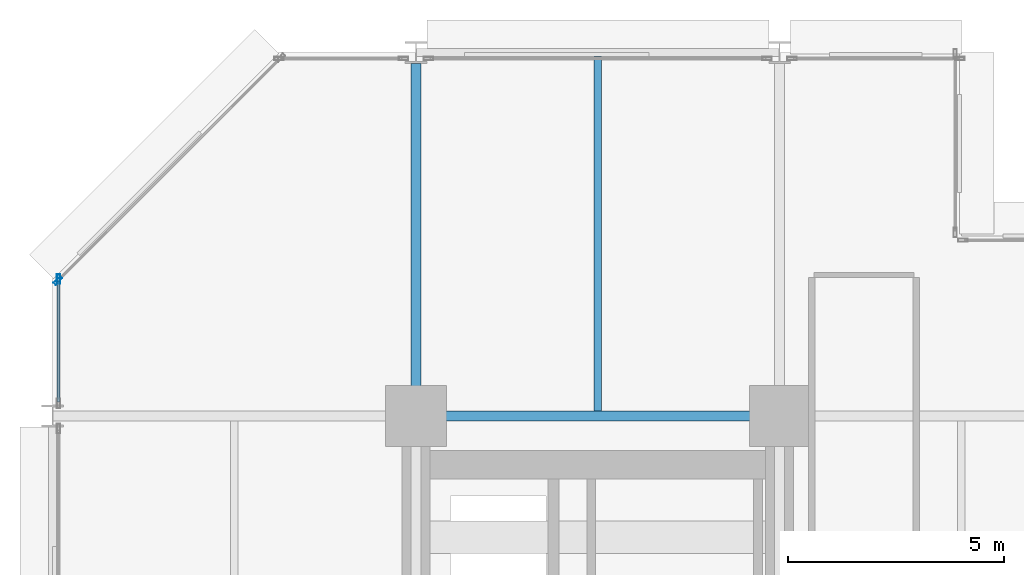
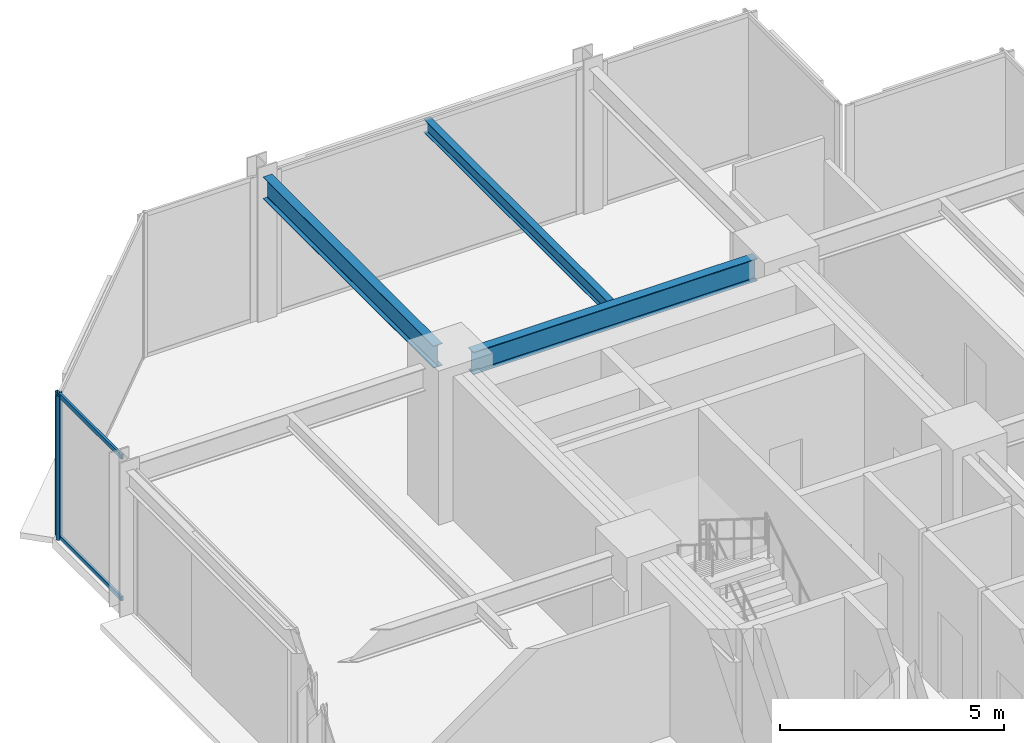
# One storey, part 15 of 25: 4 members, 3 beams, 2 elements without a shape of their own.
"""IFC4 building model written with IfcOpenShell, lengths in metres."""

import ifcopenshell
import ifcopenshell.guid

model = None  # the IFC model being written
_history = None  # IfcOwnerHistory: only IFC2X3 demands one
_inside = {}  # id of a spatial element -> (the spatial element, [elements in it])
_under = {}  # id of a project, library or spatial element -> (it, [spatial elements below it])
_declared = {}  # id of a project -> (the project, [libraries it declares])
_typed = {}  # id of a type object -> (the type object, [elements of that type])
_made_of = {}  # id of a material, layer set ... -> (it, [elements and type objects made of it])


def new_model(schema):
    """Start an empty IFC model of exactly this schema.

    Asked for "IFC4X3", IfcOpenShell would pick the latest addendum, in which some entities
    have other attributes; the version numbers below select the first issue.
    IFC2X3 requires an IfcOwnerHistory on every rooted entity: one is made here for all.
    """
    global model, _history
    if schema == "IFC4X3":
        model = ifcopenshell.file(schema_version=(4, 3, 0, 0))
    else:
        model = ifcopenshell.file(schema=schema)
    _inside.clear()
    _under.clear()
    _declared.clear()
    _typed.clear()
    _made_of.clear()
    _history = None
    if model.schema == "IFC2X3":
        org = make("IfcOrganization", Name="unknown")
        user = make(
            "IfcPersonAndOrganization",
            ThePerson=make("IfcPerson", FamilyName="unknown"),
            TheOrganization=org,
        )
        app = make(
            "IfcApplication",
            ApplicationDeveloper=org,
            Version="unknown",
            ApplicationFullName="unknown",
            ApplicationIdentifier="unknown",
        )
        _history = make(
            "IfcOwnerHistory",
            OwningUser=user,
            OwningApplication=app,
            ChangeAction="ADDED",
            CreationDate=0,
        )
    return model


def make(cls, **values):
    """One entity of the class cls with the attributes given. An attribute that is None is left unset."""
    return model.create_entity(
        cls, **{name: value for name, value in values.items() if value is not None}
    )


def rooted(cls, **values):
    """An entity with a GlobalId (a new one), such as an element, a storey or a relation."""
    return make(cls, GlobalId=ifcopenshell.guid.new(), OwnerHistory=_history, **values)


def si_unit(unit_type, name, prefix=None):
    """IfcSIUnit, for example si_unit("LENGTHUNIT", "METRE", prefix="MILLI")."""
    return make("IfcSIUnit", UnitType=unit_type, Prefix=prefix, Name=name)


def assignment(units):
    """IfcUnitAssignment: the units of a project."""
    return None if units is None else make("IfcUnitAssignment", Units=units)


def point(xyz):
    """IfcCartesianPoint."""
    return None if xyz is None else make("IfcCartesianPoint", Coordinates=xyz)


def direction(xyz):
    """IfcDirection."""
    return None if xyz is None else make("IfcDirection", DirectionRatios=xyz)


def frame(location, z_axis=None, x_axis=None):
    """IfcAxis2Placement3D, a coordinate frame: its origin and axes. An axis left out is left unset."""
    return make(
        "IfcAxis2Placement3D",
        Location=point(location),
        Axis=direction(z_axis),
        RefDirection=direction(x_axis),
    )


def frame_2d(location, x_axis=None):
    """IfcAxis2Placement2D, a coordinate frame in the plane: its origin and x axis."""
    return make(
        "IfcAxis2Placement2D", Location=point(location), RefDirection=direction(x_axis)
    )


def origin():
    """The frame at (0, 0, 0) with its axes left unset."""
    return frame((0.0, 0.0, 0.0))


def origin_2d():
    """The frame at (0, 0) in the plane with its x axis left unset."""
    return frame_2d((0.0, 0.0))


def place(relative_to, where):
    """IfcLocalPlacement: puts the frame where relative to a parent placement (None: the world)."""
    return make(
        "IfcLocalPlacement", PlacementRelTo=relative_to, RelativePlacement=where
    )


def context(
    kind, dimensions, precision=None, world=None, true_north=None, identifier=None
):
    """IfcGeometricRepresentationContext, for example the 3D "Model" context."""
    return make(
        "IfcGeometricRepresentationContext",
        ContextIdentifier=identifier,
        ContextType=kind,
        CoordinateSpaceDimension=dimensions,
        Precision=precision,
        WorldCoordinateSystem=world,
        TrueNorth=true_north,
    )


def subcontext(parent, identifier, kind, view, scale=None):
    """IfcGeometricRepresentationSubContext, for example "Body" below "Model"."""
    return make(
        "IfcGeometricRepresentationSubContext",
        ContextIdentifier=identifier,
        ContextType=kind,
        ParentContext=parent,
        TargetScale=scale,
        TargetView=view,
    )


def project(units=None, contexts=None):
    """IfcProject with its units and contexts."""
    return rooted(
        "IfcProject",
        Name="project",
        RepresentationContexts=contexts,
        UnitsInContext=assignment(units),
    )


def spatial(cls, under=None, at=None, **own):
    """A site, building, storey or space (cls), placed at a placement, below another one or the project."""
    s = rooted(cls, ObjectPlacement=at, **own)
    if under is not None:
        _under.setdefault(under.id(), (under, []))[1].append(s)
    return s


def profile(cls, at=None, kind="AREA", **sizes):
    """A parametric profile (cls). Its sizes go by their IFC names, for example OverallWidth=200.0."""
    return make(cls, ProfileType=kind, Position=at, **sizes)


def hollow_rectangle(**sizes):
    """IfcRectangleHollowProfileDef."""
    return profile("IfcRectangleHollowProfileDef", **sizes)


def i_section(**sizes):
    """IfcIShapeProfileDef."""
    return profile("IfcIShapeProfileDef", **sizes)


def extrude(swept, where, along, depth):
    """IfcExtrudedAreaSolid: the profile swept, set in the frame where, extruded along a direction by depth."""
    return make(
        "IfcExtrudedAreaSolid",
        SweptArea=swept,
        Position=where,
        ExtrudedDirection=direction(along),
        Depth=depth,
    )


def shape(context_of_items, identifier, shape_type, items):
    """IfcShapeRepresentation: the items that make up one representation, for example the "Body"."""
    return make(
        "IfcShapeRepresentation",
        ContextOfItems=context_of_items,
        RepresentationIdentifier=identifier,
        RepresentationType=shape_type,
        Items=items,
    )


def material(Name=None, Category=None):
    """IfcMaterial."""
    return make("IfcMaterial", Name=Name, Category=Category)


def layer(
    of_material, thickness, ventilated=None, Name=None, Category=None, Priority=None
):
    """IfcMaterialLayer: one layer of a wall or slab, of a material (None: an air gap)."""
    return make(
        "IfcMaterialLayer",
        Material=of_material,
        LayerThickness=thickness,
        IsVentilated=ventilated,
        Name=Name,
        Category=Category,
        Priority=Priority,
    )


def layer_set(layers, Name=None):
    """IfcMaterialLayerSet."""
    return make("IfcMaterialLayerSet", MaterialLayers=layers, LayerSetName=Name)


def material_profile(
    of_material, cross_section, Name=None, Category=None, Priority=None
):
    """IfcMaterialProfile: a cross section and its material."""
    return make(
        "IfcMaterialProfile",
        Name=Name,
        Material=of_material,
        Profile=cross_section,
        Priority=Priority,
        Category=Category,
    )


def profile_set(profiles, Name=None, composite=None):
    """IfcMaterialProfileSet."""
    return make(
        "IfcMaterialProfileSet",
        Name=Name,
        MaterialProfiles=profiles,
        CompositeProfile=composite,
    )


def made_of(thing, what):
    """Note that an element or type object is made of a material, layer set ...; save() writes the relation."""
    if what is not None:
        _made_of.setdefault(what.id(), (what, []))[1].append(thing)
    return thing


def type_object(cls, material=None, **own):
    """A type object (cls), such as IfcWallType, which elements share."""
    return made_of(rooted(cls, **own), material)


def element(
    cls,
    number,
    at=None,
    inside=None,
    cuts=None,
    type_object=None,
    material=None,
    context=None,
    identifier="Body",
    shape_type=None,
    held_by="IfcProductDefinitionShape",
    body=None,
    shapes=None,
    **own,
):
    """One element of the class cls, such as IfcWall. Its Tag is "e" and its number.

    at: its placement. inside: the storey or other place that contains it. cuts: it is an
    opening in that element (IfcRelVoidsElement). A single representation is given by context,
    identifier, shape_type and body (its items); several are given by shapes. held_by: the class
    of the entity that holds the representations. save() writes the other relations.
    """
    e = rooted(cls, Tag="e%d" % number, ObjectPlacement=at, **own)
    if body is not None:
        shapes = [shape(context, identifier, shape_type, body)]
    if shapes is not None:
        e.Representation = make(held_by, Representations=shapes)
    if inside is not None:
        _inside.setdefault(inside.id(), (inside, []))[1].append(e)
    if cuts is not None:
        rooted(
            "IfcRelVoidsElement", RelatingBuildingElement=cuts, RelatedOpeningElement=e
        )
    if type_object is not None:
        _typed.setdefault(type_object.id(), (type_object, []))[1].append(e)
    return made_of(e, material)


def aggregate(whole, parts):
    """IfcRelAggregates: a whole, such as a stair, and the parts it consists of."""
    return rooted("IfcRelAggregates", RelatingObject=whole, RelatedObjects=parts)


def save(model, path):
    """Write the relations noted so far, then the file.

    IfcRelAggregates (storeys below a building ...), IfcRelContainedInSpatialStructure (elements
    in a storey), IfcRelDefinesByType, IfcRelAssociatesMaterial and IfcRelDeclares: one each for
    every whole, place, type object, material and project.
    """
    for whole, parts in _under.values():
        aggregate(whole, parts)
    for where, things in _inside.values():
        rooted(
            "IfcRelContainedInSpatialStructure",
            RelatedElements=things,
            RelatingStructure=where,
        )
    for kind, things in _typed.values():
        rooted("IfcRelDefinesByType", RelatedObjects=things, RelatingType=kind)
    for what, things in _made_of.values():
        rooted("IfcRelAssociatesMaterial", RelatedObjects=things, RelatingMaterial=what)
    for by, libraries in _declared.values():
        rooted("IfcRelDeclares", RelatingContext=by, RelatedDefinitions=libraries)
    model.write(path)


model = new_model("IFC4")

# Units and contexts
model_context = context("Model", 3, precision=1e-05, world=origin(), true_north=direction((0.0, 1.0)))
body_context = subcontext(model_context, "Body", "Model", "MODEL_VIEW")
ifc_project = project(units=[si_unit("LENGTHUNIT", "METRE"), si_unit("AREAUNIT", "SQUARE_METRE"), si_unit("VOLUMEUNIT", "CUBIC_METRE"), si_unit("PLANEANGLEUNIT", "RADIAN"), si_unit("MASSUNIT", "GRAM", prefix="KILO")], contexts=[model_context])

# Site, building, storey
site_placement = place(None, origin())
site = spatial("IfcSite", under=ifc_project, at=site_placement, CompositionType="ELEMENT")
building_placement = place(site_placement, origin())
building = spatial("IfcBuilding", under=site, at=building_placement, Name="Nerrivon Quay Data Exchange", CompositionType="ELEMENT")
storey_placement = place(building_placement, frame((0.0, 0.0, 29.0)))
storey = spatial("IfcBuildingStorey", under=building, at=storey_placement, Name="L06", CompositionType="ELEMENT", Elevation=29.0)

# Beams
ifc_material_1 = material(Name="Steel Grade 350", Category="steel")
ifc_material_profile_1 = material_profile(ifc_material_1, i_section(OverallWidth=0.22900390625, OverallDepth=0.612060546875, WebThickness=0.011962890625, FlangeThickness=0.01953125, FilletRadius=0.013916015625, at=origin_2d()), Name="610UB125")
ifc_profile_set_1 = profile_set([ifc_material_profile_1], Name="Steel Grade 350")
beam_type_1 = type_object("IfcBeamType", Name="BM-G1-610UB125", PredefinedType="BEAM", material=ifc_profile_set_1)
beam_1_placement = place(storey_placement, frame((8.93994140625, 42.0, 3.618896484375), z_axis=(1.0, 0.0, 0.0), x_axis=(0.0, 1.0, 0.0)))
element("IfcBeam", 1, at=beam_1_placement, inside=storey, type_object=beam_type_1, Name="L06 EW Girder Y=42.0 (8.4..16.8)", PredefinedType="BEAM", context=body_context, shape_type="SweptSolid", body=[
    extrude(i_section(OverallWidth=0.22900390625, OverallDepth=0.612060546875, WebThickness=0.011962890625, FlangeThickness=0.01953125, FilletRadius=0.013916015625, at=origin_2d()), origin(), (0.0, 0.0, 1.0), 7.320068359375),
])
ifc_material_profile_2 = material_profile(ifc_material_1, i_section(OverallWidth=0.22802734375, OverallDepth=0.60205078125, WebThickness=0.010498046875, FlangeThickness=0.014892578125, FilletRadius=0.013916015625, at=origin_2d()), Name="610UB101")
ifc_profile_set_2 = profile_set([ifc_material_profile_2], Name="Steel Grade 350")
beam_type_2 = type_object("IfcBeamType", Name="BM-G2-610UB101", PredefinedType="BEAM", material=ifc_profile_set_2)
beam_2_placement = place(storey_placement, frame((8.39990234375, 42.5400390625, 3.6240234375), z_axis=(0.0, 1.0, 0.0), x_axis=(-1.0, 0.0, 0.0)))
element("IfcBeam", 2, at=beam_2_placement, inside=storey, type_object=beam_type_2, Name="L06 NS Girder X=8.4 (42.0..50.4)", PredefinedType="BEAM", context=body_context, shape_type="SweptSolid", body=[
    extrude(i_section(OverallWidth=0.22802734375, OverallDepth=0.60205078125, WebThickness=0.010498046875, FlangeThickness=0.014892578125, FilletRadius=0.013916015625, at=origin_2d()), origin(), (0.0, 0.0, 1.0), 7.60986328125),
])
ifc_material_profile_3 = material_profile(ifc_material_1, i_section(OverallWidth=0.172119140625, OverallDepth=0.35888671875, WebThickness=0.008056640625, FlangeThickness=0.012939453125, FilletRadius=0.011474609375, at=origin_2d()), Name="360UB56.7")
ifc_profile_set_3 = profile_set([ifc_material_profile_3], Name="Steel Grade 350")
beam_type_3 = type_object("IfcBeamType", Name="BM-J3-360UB57", PredefinedType="JOIST", material=ifc_profile_set_3)
beam_3_placement = place(storey_placement, frame((12.60009765625, 42.114501953125, 3.74560546875), z_axis=(0.0, 1.0, 0.0), x_axis=(-1.0, 0.0, 0.0)))
element("IfcBeam", 3, at=beam_3_placement, inside=storey, type_object=beam_type_3, Name="L06 Secondary Joist X=12.6 (42.0..50.4)", PredefinedType="JOIST", context=body_context, shape_type="SweptSolid", body=[
    extrude(i_section(OverallWidth=0.172119140625, OverallDepth=0.35888671875, WebThickness=0.008056640625, FlangeThickness=0.012939453125, FilletRadius=0.011474609375, at=origin_2d()), origin(), (0.0, 0.0, 1.0), 8.1904296875),
])

# Curtain wall, member
ifc_material_2 = material(Name="Anodised aluminium 6063-T6", Category="aluminium")
ifc_layer = layer(ifc_material_2, 0.219970703125)
ifc_layer_set = layer_set([ifc_layer], Name="Anodised aluminium 6063-T6")
curtain_wall_type = type_object("IfcCurtainWallType", Name="CW-SYS-01", PredefinedType="NOTDEFINED", material=ifc_layer_set)
curtain_wall_1_placement = place(storey_placement, origin())
curtain_wall_1 = element("IfcCurtainWall", 4, at=curtain_wall_1_placement, inside=storey, type_object=curtain_wall_type, Name="L06 Unitised Curtain Wall 18", PredefinedType="NOTDEFINED")
ifc_material_profile_4 = material_profile(ifc_material_2, hollow_rectangle(XDim=0.074951171875, YDim=0.219970703125, WallThickness=0.00390625, at=origin_2d()), Name="ALU-MULL-220x75")
ifc_profile_set_4 = profile_set([ifc_material_profile_4], Name="Anodised aluminium 6063-T6")
member_type_1 = type_object("IfcMemberType", Name="CWM-220x75", PredefinedType="MULLION", material=ifc_profile_set_4)
member_1_placement = place(storey_placement, frame((0.139892578125, 45.16259765625, 0.0), z_axis=(0.0, 0.0, 1.0), x_axis=(-1.0, 0.0, 0.0)))
member_1 = element("IfcMember", 5, at=member_1_placement, type_object=member_type_1, Name="CW01 mullion 2", PredefinedType="MULLION", context=body_context, shape_type="SweptSolid", body=[
    extrude(hollow_rectangle(XDim=0.074951171875, YDim=0.219970703125, WallThickness=0.00390625, at=origin_2d()), origin(), (0.0, 0.0, 1.0), 3.925048828125),
])

curtain_wall_2_placement = place(storey_placement, origin())
curtain_wall_2 = element("IfcCurtainWall", 6, at=curtain_wall_2_placement, inside=storey, type_object=curtain_wall_type, Name="L06 Unitised Curtain Wall 19", PredefinedType="NOTDEFINED")
member_2_placement = place(storey_placement, frame((0.12548828125, 45.12744140625, 0.0), z_axis=(0.0, 0.0, 1.0), x_axis=(-0.707106781187, 0.707106781187, 0.0)))
member_2 = element("IfcMember", 7, at=member_2_placement, type_object=member_type_1, Name="CW01 mullion 1", PredefinedType="MULLION", context=body_context, shape_type="SweptSolid", body=[
    extrude(hollow_rectangle(XDim=0.074951171875, YDim=0.219970703125, WallThickness=0.00390625, at=origin_2d()), origin(), (0.0, 0.0, 1.0), 3.925048828125),
])
aggregate(curtain_wall_2, [member_2])

# Member
ifc_material_profile_5 = material_profile(ifc_material_2, hollow_rectangle(XDim=0.06005859375, YDim=0.1201171875, WallThickness=0.003173828125, at=origin_2d()), Name="ALU-TRAN-120x60")
ifc_profile_set_5 = profile_set([ifc_material_profile_5], Name="Anodised aluminium 6063-T6")
member_type_2 = type_object("IfcMemberType", Name="CWT-120x60", PredefinedType="USERDEFINED", material=ifc_profile_set_5)
member_3_placement = place(storey_placement, frame((0.139892578125, 42.324951171875, 0.032470703125), z_axis=(0.0, 1.0, 0.0), x_axis=(-1.0, 0.0, 0.0)))
member_3 = element("IfcMember", 8, at=member_3_placement, type_object=member_type_2, Name="CW01 transom 1.1", ObjectType="TRANSOM", PredefinedType="USERDEFINED", context=body_context, shape_type="SweptSolid", body=[
    extrude(hollow_rectangle(XDim=0.06005859375, YDim=0.1201171875, WallThickness=0.003173828125, at=origin_2d()), origin(), (0.0, 0.0, 1.0), 2.800048828125),
])

member_4_placement = place(storey_placement, frame((0.139892578125, 42.324951171875, 3.892578125), z_axis=(0.0, 1.0, 0.0), x_axis=(-1.0, 0.0, 0.0)))
member_4 = element("IfcMember", 9, at=member_4_placement, type_object=member_type_2, Name="CW01 transom 1.2", ObjectType="TRANSOM", PredefinedType="USERDEFINED", context=body_context, shape_type="SweptSolid", body=[
    extrude(hollow_rectangle(XDim=0.06005859375, YDim=0.1201171875, WallThickness=0.003173828125, at=origin_2d()), origin(), (0.0, 0.0, 1.0), 2.800048828125),
])

aggregate(curtain_wall_1, [member_1, member_3, member_4])

save(model, "model.ifc")
